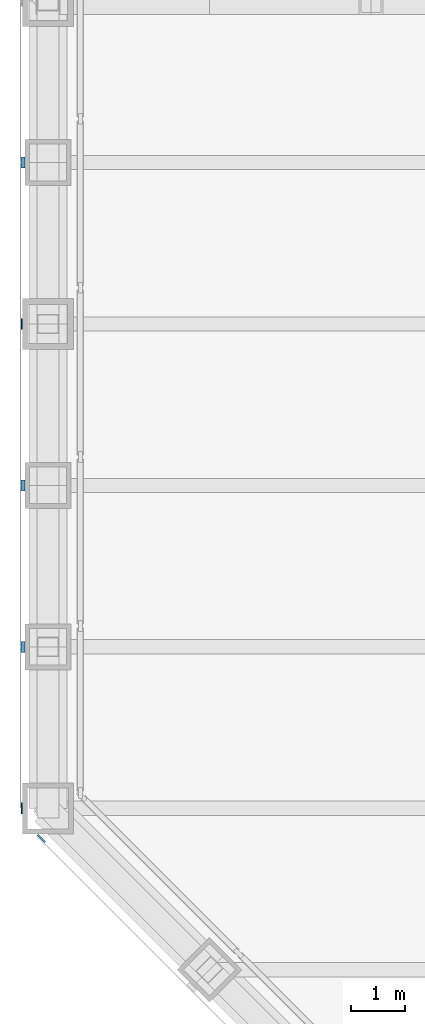
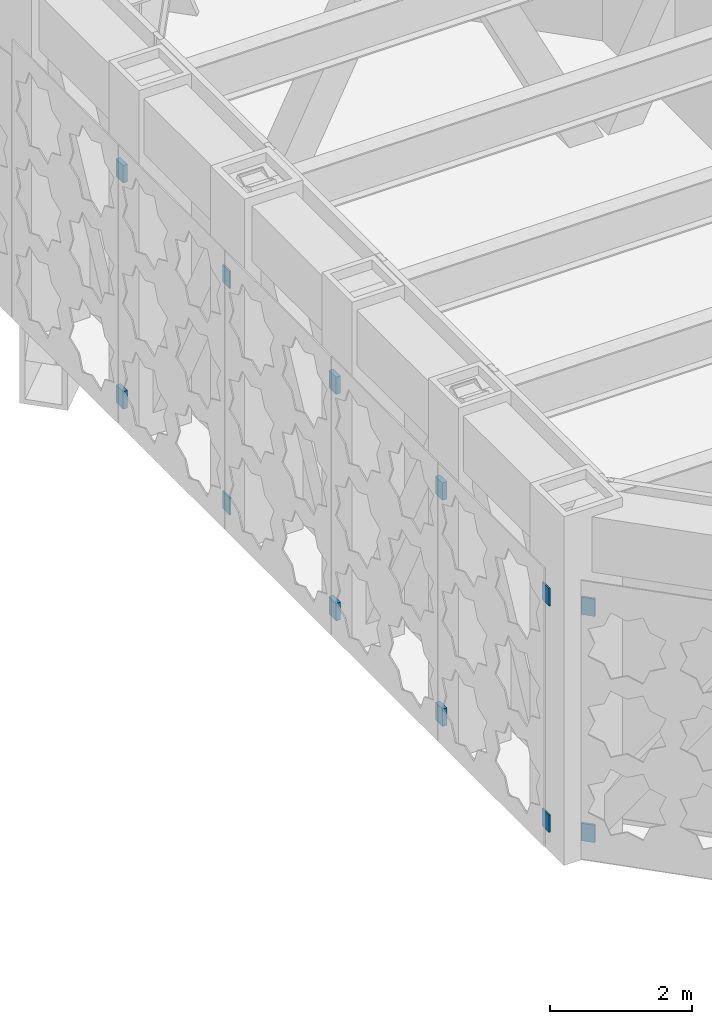
# One storey, part 14 of 28: 12 discrete accessories.
"""IFC4 building model written with IfcOpenShell, lengths in metres."""

from ifc_helpers import new_model, si_unit, direction, frame, origin, origin_2d, place, context, subcontext, project, spatial, rectangle, extrude, material, type_object, element, save


model = new_model("IFC4")

# Units and contexts
model_context = context("Model", 3, precision=1e-05, world=origin(), true_north=direction((0.0, 1.0)))
body_context = subcontext(model_context, "Body", "Model", "MODEL_VIEW")
ifc_project = project(units=[si_unit("LENGTHUNIT", "METRE"), si_unit("AREAUNIT", "SQUARE_METRE"), si_unit("VOLUMEUNIT", "CUBIC_METRE"), si_unit("PLANEANGLEUNIT", "RADIAN"), si_unit("MASSUNIT", "GRAM", prefix="KILO")], contexts=[model_context])

# Site, building, storey
site_placement = place(None, origin())
site = spatial("IfcSite", under=ifc_project, at=site_placement, CompositionType="ELEMENT")
building_placement = place(site_placement, origin())
building = spatial("IfcBuilding", under=site, at=building_placement, Name="Chuquiago Exchange Tower", CompositionType="ELEMENT")
storey_placement = place(building_placement, frame((0.0, 0.0, 174.0)))
storey = spatial("IfcBuildingStorey", under=building, at=storey_placement, Name="L38", CompositionType="ELEMENT", Elevation=174.0)

# Discrete accessories
ifc_material_1 = material(Name="Stainless steel plate bracket", Category="steel")
discrete_accessory_type_1 = type_object("IfcDiscreteAccessoryType", Name="GB4 cladding bracket 75", PredefinedType="BRACKET", material=ifc_material_1)
for number, where, z_axis, x_axis, name in (
    (1, (-0.46240234375, 30.0, 0.35009765625), (0.0, 0.0, 1.0), (0.0, -1.0, 0.0), "Cladding bracket L38 W"),
    (2, (-0.46240234375, 30.0, 4.23974609375), (0.0, 0.0, 1.0), (0.0, -1.0, 0.0), "Cladding bracket L38 W"),
    (3, (-0.46240234375, 24.0, 0.35009765625), (0.0, 0.0, 1.0), (0.0, -1.0, 0.0), "Cladding bracket L38 W"),
    (4, (-0.46240234375, 24.0, 4.23974609375), (0.0, 0.0, 1.0), (0.0, -1.0, 0.0), "Cladding bracket L38 W"),
    (5, (-0.46240234375, 21.0, 0.35009765625), (0.0, 0.0, 1.0), (0.0, -1.0, 0.0), "Cladding bracket L38 W"),
    (6, (-0.46240234375, 21.0, 4.23974609375), (0.0, 0.0, 1.0), (0.0, -1.0, 0.0), "Cladding bracket L38 W"),
):
    element("IfcDiscreteAccessory", number, at=place(storey_placement, frame(where, z_axis=z_axis, x_axis=x_axis)), inside=storey, type_object=discrete_accessory_type_1, Name=name, PredefinedType="BRACKET", context=body_context, shape_type="SweptSolid", body=[
        extrude(rectangle(XDim=0.199951171875, YDim=0.074951171875, at=origin_2d()), origin(), (0.0, 0.0, 1.0), 0.300048828125),
    ])
ifc_material_2 = material(Name="Stainless steel plate bracket", Category="steel")
discrete_accessory_type_2 = type_object("IfcDiscreteAccessoryType", Name="GB6 cladding bracket 35", PredefinedType="BRACKET", material=ifc_material_2)
for number, where, z_axis, x_axis, name in (
    (7, (-0.123779296875, 17.44189453125, 0.35009765625), (0.0, 0.0, 1.0), (0.707106781187, -0.707106781187, 0.0), "Cladding bracket L38 SW"),
    (8, (-0.123779296875, 17.44189453125, 4.23974609375), (0.0, 0.0, 1.0), (0.707106781187, -0.707106781187, 0.0), "Cladding bracket L38 SW"),
):
    element("IfcDiscreteAccessory", number, at=place(storey_placement, frame(where, z_axis=z_axis, x_axis=x_axis)), inside=storey, type_object=discrete_accessory_type_2, Name=name, PredefinedType="BRACKET", context=body_context, shape_type="SweptSolid", body=[
        extrude(rectangle(XDim=0.199951171875, YDim=0.035400390625, at=origin_2d()), origin(), (0.0, 0.0, 1.0), 0.300048828125),
    ])
ifc_material_3 = material(Name="Stainless steel plate bracket", Category="steel")
discrete_accessory_type_3 = type_object("IfcDiscreteAccessoryType", Name="GB7 cladding bracket 25", PredefinedType="BRACKET", material=ifc_material_3)
for number, where, z_axis, x_axis, name in (
    (9, (-0.487548828125, 27.0, 0.35009765625), (0.0, 0.0, 1.0), (0.0, -1.0, 0.0), "Cladding bracket L38 W"),
    (10, (-0.487548828125, 27.0, 4.23974609375), (0.0, 0.0, 1.0), (0.0, -1.0, 0.0), "Cladding bracket L38 W"),
    (11, (-0.487548828125, 18.0, 0.35009765625), (0.0, 0.0, 1.0), (0.0, -1.0, 0.0), "Cladding bracket L38 W"),
    (12, (-0.487548828125, 18.0, 4.23974609375), (0.0, 0.0, 1.0), (0.0, -1.0, 0.0), "Cladding bracket L38 W"),
):
    element("IfcDiscreteAccessory", number, at=place(storey_placement, frame(where, z_axis=z_axis, x_axis=x_axis)), inside=storey, type_object=discrete_accessory_type_3, Name=name, PredefinedType="BRACKET", context=body_context, shape_type="SweptSolid", body=[
        extrude(rectangle(XDim=0.199951171875, YDim=0.02490234375, at=origin_2d()), origin(), (0.0, 0.0, 1.0), 0.300048828125),
    ])

save(model, "model.ifc")
